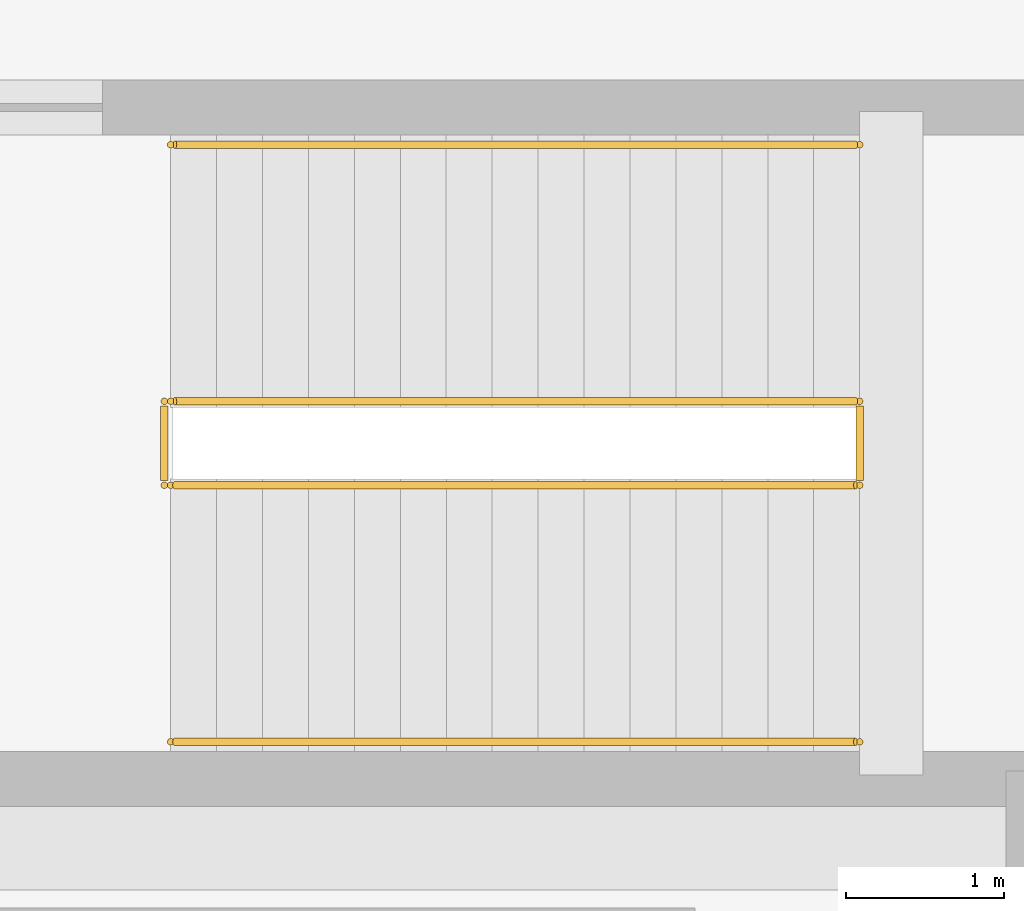
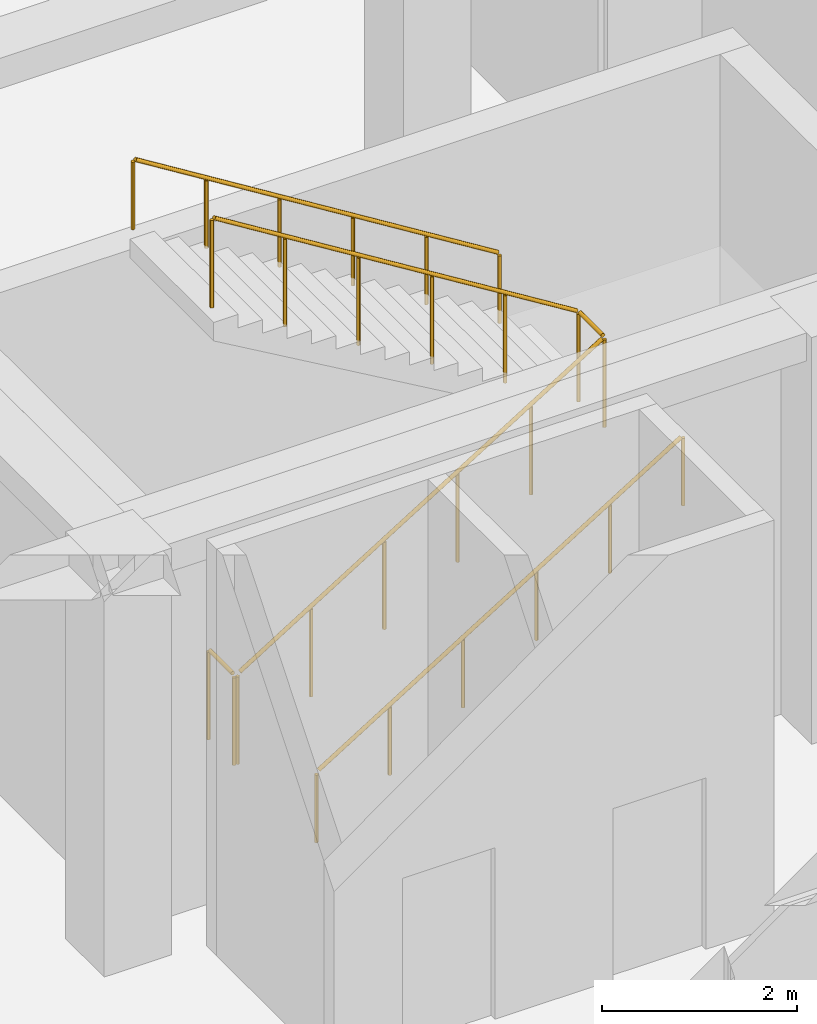
# One storey, part 92 of 96: 4 railings.
"""IFC4 building model written with IfcOpenShell, lengths in metres."""

from ifc_helpers import new_model, si_unit, direction, frame, origin, origin_2d, place, context, subcontext, project, spatial, circle, extrude, material, type_object, element, save


model = new_model("IFC4")

# Units and contexts
model_context = context("Model", 3, precision=1e-05, world=origin(), true_north=direction((0.0, 1.0)))
body_context = subcontext(model_context, "Body", "Model", "MODEL_VIEW")
ifc_project = project(units=[si_unit("LENGTHUNIT", "METRE"), si_unit("AREAUNIT", "SQUARE_METRE"), si_unit("VOLUMEUNIT", "CUBIC_METRE"), si_unit("PLANEANGLEUNIT", "RADIAN"), si_unit("MASSUNIT", "GRAM", prefix="KILO")], contexts=[model_context])

# Site, building, storey
site_placement = place(None, origin())
site = spatial("IfcSite", under=ifc_project, at=site_placement, CompositionType="ELEMENT")
building_placement = place(site_placement, origin())
building = spatial("IfcBuilding", under=site, at=building_placement, Name="Almacenes y Pasaje Nevantli", CompositionType="ELEMENT")
storey_placement = place(building_placement, frame((0.0, 0.0, 6.0)))
storey = spatial("IfcBuildingStorey", under=building, at=storey_placement, Name="L02", CompositionType="ELEMENT", Elevation=6.0)

# Railings
ifc_material_1 = material(Name="Brushed Stainless Steel and Tempered Safety Glass", Category="steel")
railing_type_1 = type_object("IfcRailingType", Name="RL-GUARD-1100", PredefinedType="BALUSTRADE", material=ifc_material_1)
railing_1_placement = place(storey_placement, frame((120.300048828125, 77.830078125, 0.0)))
element("IfcRailing", 1, at=railing_1_placement, inside=storey, type_object=railing_type_1, Name="L02 Stair ST-01 Inner Well Guard Balustrade", PredefinedType="BALUSTRADE", context=body_context, shape_type="SweptSolid", body=[
    extrude(circle(Radius=0.02392578125, at=origin_2d()), frame((0.025390625, 0.0, 1.1416015625), z_axis=(0.849636482215, 0.0, 0.527368797038), x_axis=(0.0, 1.0, 0.0)), (0.0, 0.0, 1.0), 5.0595703125),
    extrude(circle(Radius=0.02392578125, at=origin_2d()), frame((4.349853515625, 0.030029296875, 3.82568359375), z_axis=(0.0, 1.0, 0.0), x_axis=(-1.0, 0.0, 0.0)), (0.0, 0.0, 1.0), 0.469970703125),
    extrude(circle(Radius=0.02392578125, at=origin_2d()), frame((4.324462890625, 0.530029296875, 3.841552734375), z_axis=(-0.849636482215, 0.0, 0.527368797038), x_axis=(0.0, -1.0, 0.0)), (0.0, 0.0, 1.0), 5.0595703125),
    extrude(circle(Radius=0.02099609375, at=origin_2d()), origin(), (0.0, 0.0, 1.0), 1.096923828125),
    extrude(circle(Radius=0.02099609375, at=origin_2d()), frame((0.869873046875, 0.0, 0.5400390625)), (0.0, 0.0, 1.0), 1.096923828125),
    extrude(circle(Radius=0.02099609375, at=origin_2d()), frame((1.739990234375, 0.0, 1.080078125)), (0.0, 0.0, 1.0), 1.096923828125),
    extrude(circle(Radius=0.02099609375, at=origin_2d()), frame((2.60986328125, 0.0, 1.619873046875)), (0.0, 0.0, 1.0), 1.096923828125),
    extrude(circle(Radius=0.02099609375, at=origin_2d()), frame((3.47998046875, 0.0, 2.159912109375)), (0.0, 0.0, 1.0), 1.096923828125),
    extrude(circle(Radius=0.02099609375, at=origin_2d()), frame((4.349853515625, 0.0, 2.699951171875)), (0.0, 0.0, 1.0), 1.096923828125),
    extrude(circle(Radius=0.02099609375, at=origin_2d()), frame((4.349853515625, 0.530029296875, 2.699951171875)), (0.0, 0.0, 1.0), 1.096923828125),
    extrude(circle(Radius=0.02099609375, at=origin_2d()), frame((3.47998046875, 0.530029296875, 3.239990234375)), (0.0, 0.0, 1.0), 1.096923828125),
    extrude(circle(Radius=0.02099609375, at=origin_2d()), frame((2.60986328125, 0.530029296875, 3.780029296875)), (0.0, 0.0, 1.0), 1.096923828125),
    extrude(circle(Radius=0.02099609375, at=origin_2d()), frame((1.739990234375, 0.530029296875, 4.31982421875)), (0.0, 0.0, 1.0), 1.096923828125),
    extrude(circle(Radius=0.02099609375, at=origin_2d()), frame((0.869873046875, 0.530029296875, 4.85986328125)), (0.0, 0.0, 1.0), 1.096923828125),
    extrude(circle(Radius=0.02099609375, at=origin_2d()), frame((0.0, 0.530029296875, 5.39990234375)), (0.0, 0.0, 1.0), 1.096923828125),
])
railing_2_placement = place(storey_placement, frame((120.260009765625, 77.830078125, 0.0)))
element("IfcRailing", 2, at=railing_2_placement, inside=storey, type_object=railing_type_1, Name="L02 Stair ST-01 Landing Well Slot Guard", PredefinedType="BALUSTRADE", context=body_context, shape_type="SweptSolid", body=[
    extrude(circle(Radius=0.02392578125, at=origin_2d()), frame((0.0, 0.030029296875, 1.1259765625), z_axis=(0.0, 1.0, 0.0), x_axis=(-1.0, 0.0, 0.0)), (0.0, 0.0, 1.0), 0.469970703125),
    extrude(circle(Radius=0.02099609375, at=origin_2d()), origin(), (0.0, 0.0, 1.0), 1.096923828125),
    extrude(circle(Radius=0.02099609375, at=origin_2d()), frame((0.0, 0.530029296875, 0.0)), (0.0, 0.0, 1.0), 1.096923828125),
])
ifc_material_2 = material(Name="Brushed Stainless Steel Tube", Category="steel")
railing_type_2 = type_object("IfcRailingType", Name="RL-HANDRAIL-900", PredefinedType="HANDRAIL", material=ifc_material_2)
railing_3_placement = place(storey_placement, frame((120.300048828125, 76.2099609375, 0.0)))
element("IfcRailing", 3, at=railing_3_placement, inside=storey, type_object=railing_type_2, Name="L02 Stair ST-01 Lower Flight Handrail", PredefinedType="HANDRAIL", context=body_context, shape_type="SweptSolid", body=[
    extrude(circle(Radius=0.02392578125, at=origin_2d()), frame((0.025390625, 0.0, 0.8916015625), z_axis=(0.849636482215, 0.0, 0.527368797038), x_axis=(0.0, 1.0, 0.0)), (0.0, 0.0, 1.0), 5.0595703125),
    extrude(circle(Radius=0.02099609375, at=origin_2d()), origin(), (0.0, 0.0, 1.0), 0.846923828125),
    extrude(circle(Radius=0.02099609375, at=origin_2d()), frame((0.869873046875, 0.0, 0.5400390625)), (0.0, 0.0, 1.0), 0.846923828125),
    extrude(circle(Radius=0.02099609375, at=origin_2d()), frame((1.739990234375, 0.0, 1.080078125)), (0.0, 0.0, 1.0), 0.846923828125),
    extrude(circle(Radius=0.02099609375, at=origin_2d()), frame((2.60986328125, 0.0, 1.619873046875)), (0.0, 0.0, 1.0), 0.846923828125),
    extrude(circle(Radius=0.02099609375, at=origin_2d()), frame((3.47998046875, 0.0, 2.159912109375)), (0.0, 0.0, 1.0), 0.846923828125),
    extrude(circle(Radius=0.02099609375, at=origin_2d()), frame((4.349853515625, 0.0, 2.699951171875)), (0.0, 0.0, 1.0), 0.846923828125),
])
railing_4_placement = place(storey_placement, frame((124.64990234375, 79.97998046875, 2.699951171875)))
element("IfcRailing", 4, at=railing_4_placement, inside=storey, type_object=railing_type_2, Name="L02 Stair ST-01 Upper Flight Handrail", PredefinedType="HANDRAIL", context=body_context, shape_type="SweptSolid", body=[
    extrude(circle(Radius=0.02392578125, at=origin_2d()), frame((-0.025390625, 0.0, 0.8916015625), z_axis=(-0.849636482215, 0.0, 0.527368797038), x_axis=(0.0, -1.0, 0.0)), (0.0, 0.0, 1.0), 5.0595703125),
    extrude(circle(Radius=0.02099609375, at=origin_2d()), origin(), (0.0, 0.0, 1.0), 0.846923828125),
    extrude(circle(Radius=0.02099609375, at=origin_2d()), frame((-0.869873046875, 0.0, 0.5400390625)), (0.0, 0.0, 1.0), 0.846923828125),
    extrude(circle(Radius=0.02099609375, at=origin_2d()), frame((-1.739990234375, 0.0, 1.080078125)), (0.0, 0.0, 1.0), 0.846923828125),
    extrude(circle(Radius=0.02099609375, at=origin_2d()), frame((-2.60986328125, 0.0, 1.619873046875)), (0.0, 0.0, 1.0), 0.846923828125),
    extrude(circle(Radius=0.02099609375, at=origin_2d()), frame((-3.47998046875, 0.0, 2.159912109375)), (0.0, 0.0, 1.0), 0.846923828125),
    extrude(circle(Radius=0.02099609375, at=origin_2d()), frame((-4.349853515625, 0.0, 2.699951171875)), (0.0, 0.0, 1.0), 0.846923828125),
])

save(model, "model.ifc")
